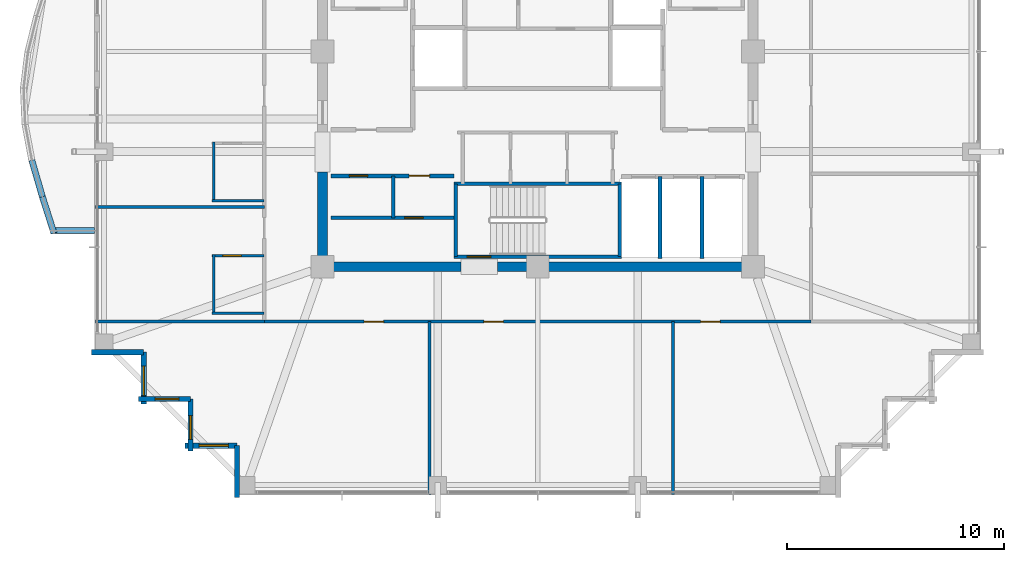
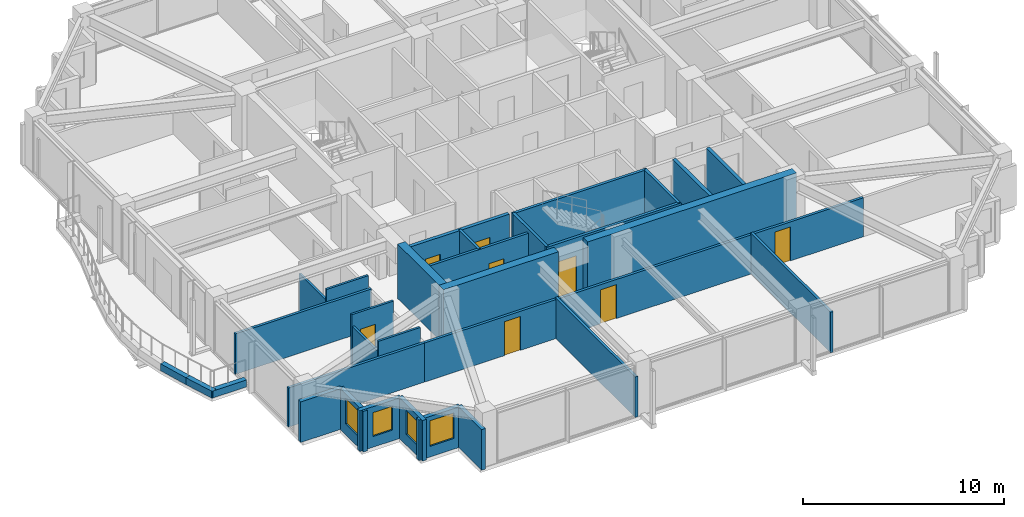
# One storey, part 27 of 33: 31 walls, 8 doors, 4 windows, 12 openings.
"""IFC4 building model written with IfcOpenShell, lengths in metres."""

from ifc_helpers import new_model, si_unit, direction, frame, frame_2d, origin, place, context, subcontext, project, spatial, rectangle, extrude, material, layer, layer_set, type_object, element, fill, save


model = new_model("IFC4")

# Units and contexts
model_context = context("Model", 3, precision=1e-05, world=origin(), true_north=direction((0.0, 1.0)))
body_context = subcontext(model_context, "Body", "Model", "MODEL_VIEW")
ifc_project = project(units=[si_unit("LENGTHUNIT", "METRE"), si_unit("AREAUNIT", "SQUARE_METRE"), si_unit("VOLUMEUNIT", "CUBIC_METRE"), si_unit("PLANEANGLEUNIT", "RADIAN"), si_unit("MASSUNIT", "GRAM", prefix="KILO")], contexts=[model_context])

# Site, building, storey
site_placement = place(None, origin())
site = spatial("IfcSite", under=ifc_project, at=site_placement, CompositionType="ELEMENT")
building_placement = place(site_placement, origin())
building = spatial("IfcBuilding", under=site, at=building_placement, Name="Kolvaren Belvedere", CompositionType="ELEMENT")
storey_placement = place(building_placement, frame((0.0, 0.0, 209.699951171875)))
storey = spatial("IfcBuildingStorey", under=building, at=storey_placement, Name="L61", CompositionType="ELEMENT", Elevation=209.699951171875)

# Walls
ifc_material_1 = material(Name="Concrete C50/60", Category="concrete")
ifc_layer_1 = layer(ifc_material_1, 0.449951171875)
ifc_layer_set_1 = layer_set([ifc_layer_1], Name="Concrete C50/60")
wall_type_1 = type_object("IfcWallType", Name="CW-CORE-450", PredefinedType="SHEAR", material=ifc_layer_set_1)
wall_1_placement = place(storey_placement, frame((10.125, -9.89990234375, 0.0), z_axis=(0.0, 0.0, 1.0), x_axis=(-1.0, 0.0, 0.0)))
element("IfcWall", 1, at=wall_1_placement, inside=storey, type_object=wall_type_1, Name="L61 South Core Shear Wall 1", PredefinedType="SHEAR", context=body_context, shape_type="SweptSolid", body=[
    extrude(rectangle(XDim=11.985107421875, YDim=0.449951171875, at=frame_2d((5.99267578125, 0.0))), origin(), (0.0, 0.0, 1.0), 3.300048828125),
])
wall_2_placement = place(storey_placement, frame((-3.5400390625, -9.89990234375, 0.0), z_axis=(0.0, 0.0, 1.0), x_axis=(-1.0, 0.0, 0.0)))
element("IfcWall", 2, at=wall_2_placement, inside=storey, type_object=wall_type_1, Name="L61 South Core Shear Wall 2", PredefinedType="SHEAR", context=body_context, shape_type="SweptSolid", body=[
    extrude(rectangle(XDim=6.5849609375, YDim=0.449951171875, at=frame_2d((3.29248046875, 0.0))), origin(), (0.0, 0.0, 1.0), 3.300048828125),
])
wall_3_placement = place(storey_placement, frame((-9.89990234375, -9.675048828125, 0.0), z_axis=(0.0, 0.0, 1.0), x_axis=(0.0, 1.0, 0.0)))
element("IfcWall", 3, at=wall_3_placement, inside=storey, type_object=wall_type_1, Name="L61 West Core Shear Wall 1", PredefinedType="SHEAR", context=body_context, shape_type="SweptSolid", body=[
    extrude(rectangle(XDim=4.125, YDim=0.449951171875, at=frame_2d((2.0625, 0.0))), origin(), (0.0, 0.0, 1.0), 3.300048828125),
])

# Wall, opening, door
ifc_material_2 = material(Name="Concrete C50/60", Category="concrete")
ifc_layer_2 = layer(ifc_material_2, 0.159912109375)
ifc_layer_set_2 = layer_set([ifc_layer_2], Name="Concrete C50/60")
wall_type_2 = type_object("IfcWallType", Name="CW-STAIR-160", PredefinedType="SHEAR", material=ifc_layer_set_2)
wall_4_placement = place(storey_placement, frame((3.860107421875, -9.429931640625, 0.0), z_axis=(0.0, 0.0, 1.0), x_axis=(-1.0, 0.0, 0.0)))
wall_4 = element("IfcWall", 4, at=wall_4_placement, inside=storey, type_object=wall_type_2, Name="L61 Stair ST-3 South Shear Wall", PredefinedType="SHEAR", context=body_context, shape_type="SweptSolid", body=[
    extrude(rectangle(XDim=7.72021484375, YDim=0.159912109375, at=frame_2d((3.860107421875, 0.0))), origin(), (0.0, 0.0, 1.0), 3.300048828125),
])
opening_1_placement = place(wall_4_placement, frame((6.010009765625, 0.0, 0.0)))
opening_1 = element("IfcOpeningElement", 5, at=opening_1_placement, cuts=wall_4, Name="Opening D-FD90", PredefinedType="OPENING", context=body_context, shape_type="SweptSolid", body=[
    extrude(rectangle(XDim=1.10009765625, YDim=2.199951171875, at=frame_2d((0.550048828125, 1.10009765625))), frame((0.0, 0.08984375, 0.0), z_axis=(0.0, -1.0, 0.0), x_axis=(1.0, 0.0, 0.0)), (0.0, 0.0, 1.0), 0.179931640625),
])
ifc_material_3 = material(Name="Painted hollow stainless steel", Category="steel")
door_type_1 = type_object("IfcDoorType", Name="DR-FD90-1100", OperationType="NOTDEFINED", PredefinedType="DOOR", material=ifc_material_3)
door_1_placement = place(opening_1_placement, origin())
door_1 = element("IfcDoor", 6, at=door_1_placement, inside=storey, type_object=door_type_1, Name="L61 Stair ST-3 Exit Door", OperationType="SINGLE_SWING_RIGHT", OverallHeight=2.199951171875, OverallWidth=1.10009765625, PredefinedType="DOOR", context=body_context, shape_type="SweptSolid", body=[
    extrude(rectangle(XDim=1.10009765625, YDim=2.199951171875, at=frame_2d((0.550048828125, 1.10009765625))), frame((0.0, 0.02490234375, 0.0), z_axis=(0.0, -1.0, 0.0), x_axis=(1.0, 0.0, 0.0)), (0.0, 0.0, 1.0), 0.050048828125),
])
fill(opening_1, door_1)

# Walls
wall_5_placement = place(storey_placement, frame((-3.860107421875, -6.080078125, 0.0), z_axis=(0.0, 0.0, 1.0), x_axis=(1.0, 0.0, 0.0)))
element("IfcWall", 7, at=wall_5_placement, inside=storey, type_object=wall_type_2, Name="L61 Stair ST-3 North Shear Wall", PredefinedType="SHEAR", context=body_context, shape_type="SweptSolid", body=[
    extrude(rectangle(XDim=7.72021484375, YDim=0.159912109375, at=frame_2d((3.860107421875, 0.0))), origin(), (0.0, 0.0, 1.0), 3.300048828125),
])
for number, where, z_axis, x_axis, name in (
    (8, (-3.780029296875, -9.429931640625, 0.0), (0.0, 0.0, 1.0), (0.0, 1.0, 0.0), "L61 Stair ST-3 West Shear Wall"),
    (9, (3.780029296875, -9.429931640625, 0.0), (0.0, 0.0, 1.0), (0.0, 1.0, 0.0), "L61 Stair ST-3 East Shear Wall"),
):
    element("IfcWall", number, at=place(storey_placement, frame(where, z_axis=z_axis, x_axis=x_axis)), inside=storey, type_object=wall_type_2, Name=name, PredefinedType="SHEAR", context=body_context, shape_type="SweptSolid", body=[
        extrude(rectangle(XDim=3.349853515625, YDim=0.159912109375, at=frame_2d((1.6748046875, 0.0))), origin(), (0.0, 0.0, 1.0), 3.300048828125),
    ])

# Wall, openings, doors
ifc_material_4 = material(Name="Gypsum fire-rated partition assembly", Category="gypsum")
ifc_layer_3 = layer(ifc_material_4, 0.14990234375)
ifc_layer_set_3 = layer_set([ifc_layer_3], Name="Gypsum fire-rated partition assembly")
wall_type_3 = type_object("IfcWallType", Name="WL-CORR-150", PredefinedType="PARTITIONING", material=ifc_layer_set_3)
wall_6_placement = place(storey_placement, frame((-12.580078125, -12.419921875, 0.0), z_axis=(0.0, 0.0, 1.0), x_axis=(1.0, 0.0, 0.0)))
wall_6 = element("IfcWall", 10, at=wall_6_placement, inside=storey, type_object=wall_type_3, Name="L61 South Corridor Wall", PredefinedType="PARTITIONING", context=body_context, shape_type="SweptSolid", body=[
    extrude(rectangle(XDim=25.16015625, YDim=0.14990234375, at=frame_2d((12.580078125, 0.0))), origin(), (0.0, 0.0, 1.0), 2.369140625),
])
opening_2_placement = place(wall_6_placement, frame((4.594970703125, 0.0, 0.0)))
opening_2 = element("IfcOpeningElement", 11, at=opening_2_placement, cuts=wall_6, Name="Opening D-INT90", PredefinedType="OPENING", context=body_context, shape_type="SweptSolid", body=[
    extrude(rectangle(XDim=0.89990234375, YDim=2.06005859375, at=frame_2d((0.449951171875, 1.030029296875))), frame((0.0, 0.0849609375, 0.0), z_axis=(0.0, -1.0, 0.0), x_axis=(1.0, 0.0, 0.0)), (0.0, 0.0, 1.0), 0.169921875),
])
opening_3_placement = place(wall_6_placement, frame((10.10009765625, 0.0, 0.0)))
opening_3 = element("IfcOpeningElement", 12, at=opening_3_placement, cuts=wall_6, Name="Opening D-INT90", PredefinedType="OPENING", context=body_context, shape_type="SweptSolid", body=[
    extrude(rectangle(XDim=0.89990234375, YDim=2.06005859375, at=frame_2d((0.449951171875, 1.030029296875))), frame((0.0, 0.0849609375, 0.0), z_axis=(0.0, -1.0, 0.0), x_axis=(1.0, 0.0, 0.0)), (0.0, 0.0, 1.0), 0.169921875),
])
opening_4_placement = place(wall_6_placement, frame((20.0791015625, 0.0, 0.0)))
opening_4 = element("IfcOpeningElement", 13, at=opening_4_placement, cuts=wall_6, Name="Opening D-INT90", PredefinedType="OPENING", context=body_context, shape_type="SweptSolid", body=[
    extrude(rectangle(XDim=0.89990234375, YDim=2.06005859375, at=frame_2d((0.449951171875, 1.030029296875))), frame((0.0, 0.0849609375, 0.0), z_axis=(0.0, -1.0, 0.0), x_axis=(1.0, 0.0, 0.0)), (0.0, 0.0, 1.0), 0.169921875),
])
ifc_material_5 = material(Name="Stained Pacific white oak", Category="timber")
door_type_2 = type_object("IfcDoorType", Name="DR-INT-900", OperationType="NOTDEFINED", PredefinedType="DOOR", material=ifc_material_5)
door_2_placement = place(opening_2_placement, origin())
door_2 = element("IfcDoor", 14, at=door_2_placement, inside=storey, type_object=door_type_2, Name="L61 Lounge 6101 Door", OperationType="SINGLE_SWING_RIGHT", OverallHeight=2.06005859375, OverallWidth=0.89990234375, PredefinedType="DOOR", context=body_context, shape_type="SweptSolid", body=[
    extrude(rectangle(XDim=0.89990234375, YDim=2.06005859375, at=frame_2d((0.449951171875, 1.030029296875))), frame((0.0, 0.02490234375, 0.0), z_axis=(0.0, -1.0, 0.0), x_axis=(1.0, 0.0, 0.0)), (0.0, 0.0, 1.0), 0.050048828125),
])
fill(opening_2, door_2)
door_3_placement = place(opening_3_placement, origin())
door_3 = element("IfcDoor", 15, at=door_3_placement, inside=storey, type_object=door_type_2, Name="L61 Guest Tea & Espresso Kitchen 6102 Door", OperationType="SINGLE_SWING_LEFT", OverallHeight=2.06005859375, OverallWidth=0.89990234375, PredefinedType="DOOR", context=body_context, shape_type="SweptSolid", body=[
    extrude(rectangle(XDim=0.89990234375, YDim=2.06005859375, at=frame_2d((0.449951171875, 1.030029296875))), frame((0.0, 0.02490234375, 0.0), z_axis=(0.0, -1.0, 0.0), x_axis=(1.0, 0.0, 0.0)), (0.0, 0.0, 1.0), 0.050048828125),
])
fill(opening_3, door_3)
door_4_placement = place(opening_4_placement, origin())
door_4 = element("IfcDoor", 16, at=door_4_placement, inside=storey, type_object=door_type_2, Name="L61 Wellness Yoga & Reading Gym 6103 Door", OperationType="SINGLE_SWING_RIGHT", OverallHeight=2.06005859375, OverallWidth=0.89990234375, PredefinedType="DOOR", context=body_context, shape_type="SweptSolid", body=[
    extrude(rectangle(XDim=0.89990234375, YDim=2.06005859375, at=frame_2d((0.449951171875, 1.030029296875))), frame((0.0, 0.02490234375, 0.0), z_axis=(0.0, -1.0, 0.0), x_axis=(1.0, 0.0, 0.0)), (0.0, 0.0, 1.0), 0.050048828125),
])
fill(opening_4, door_4)

# Wall
ifc_material_6 = material(Name="Insulated pale-metal facade wall assembly", Category="aluminium")
ifc_layer_4 = layer(ifc_material_6, 0.239990234375)
ifc_layer_set_4 = layer_set([ifc_layer_4], Name="Insulated pale-metal facade wall assembly")
wall_type_4 = type_object("IfcWallType", Name="WL-EXT-240", PredefinedType="STANDARD", material=ifc_layer_set_4)
wall_7_placement = place(storey_placement, frame((-18.1298828125, -13.830078125, 0.0), z_axis=(0.0, 0.0, 1.0), x_axis=(-1.0, 0.0, 0.0)))
element("IfcWall", 17, at=wall_7_placement, inside=storey, type_object=wall_type_4, Name="L61 Serrated Corner Facade Wall 23", PredefinedType="STANDARD", context=body_context, shape_type="SweptSolid", body=[
    extrude(rectangle(XDim=2.39013671875, YDim=0.239990234375, at=frame_2d((1.195068359375, 0.0))), origin(), (0.0, 0.0, 1.0), 2.463134765625),
])

# Wall, opening, window
wall_8_placement = place(storey_placement, frame((-18.1298828125, -16.219970703125, 0.0), z_axis=(0.0, 0.0, 1.0), x_axis=(0.0, 1.0, 0.0)))
wall_8 = element("IfcWall", 18, at=wall_8_placement, inside=storey, type_object=wall_type_4, Name="L61 Serrated Corner Facade Wall 24", PredefinedType="STANDARD", context=body_context, shape_type="SweptSolid", body=[
    extrude(rectangle(XDim=2.389892578125, YDim=0.239990234375, at=frame_2d((1.19482421875, 0.0))), origin(), (0.0, 0.0, 1.0), 2.463134765625),
])
opening_5_placement = place(wall_8_placement, frame((0.39990234375, 0.0, 0.64990234375)))
opening_5 = element("IfcOpeningElement", 19, at=opening_5_placement, cuts=wall_8, Name="Opening W-1350", PredefinedType="OPENING", context=body_context, shape_type="SweptSolid", body=[
    extrude(rectangle(XDim=1.35009765625, YDim=1.550048828125, at=frame_2d((0.675048828125, 0.77490234375))), frame((0.0, 0.1298828125, 0.0), z_axis=(0.0, -1.0, 0.0), x_axis=(1.0, 0.0, 0.0)), (0.0, 0.0, 1.0), 0.260009765625),
])
ifc_material_7 = material(Name="Low-iron triple insulated glass", Category="glass")
window_type_1 = type_object("IfcWindowType", Name="WN-CORN-1350", PartitioningType="SINGLE_PANEL", PredefinedType="WINDOW", material=ifc_material_7)
window_1_placement = place(opening_5_placement, origin())
window_1 = element("IfcWindow", 20, at=window_1_placement, inside=storey, type_object=window_type_1, Name="L61 Serrated Corner Vision Window 24", OverallHeight=1.550048828125, OverallWidth=1.35009765625, PartitioningType="SINGLE_PANEL", PredefinedType="WINDOW", context=body_context, shape_type="SweptSolid", body=[
    extrude(rectangle(XDim=1.35009765625, YDim=1.550048828125, at=frame_2d((0.675048828125, 0.77490234375))), frame((0.0, 0.030029296875, 0.0), z_axis=(0.0, -1.0, 0.0), x_axis=(1.0, 0.0, 0.0)), (0.0, 0.0, 1.0), 0.06005859375),
])
fill(opening_5, window_1)

wall_9_placement = place(storey_placement, frame((-15.97998046875, -15.97998046875, 0.0), z_axis=(0.0, 0.0, 1.0), x_axis=(-1.0, 0.0, 0.0)))
wall_9 = element("IfcWall", 21, at=wall_9_placement, inside=storey, type_object=wall_type_4, Name="L61 Serrated Corner Facade Wall 25", PredefinedType="STANDARD", context=body_context, shape_type="SweptSolid", body=[
    extrude(rectangle(XDim=2.39013671875, YDim=0.239990234375, at=frame_2d((1.195068359375, 0.0))), origin(), (0.0, 0.0, 1.0), 2.463134765625),
])
opening_6_placement = place(wall_9_placement, frame((0.52490234375, 0.0, 0.64990234375)))
opening_6 = element("IfcOpeningElement", 22, at=opening_6_placement, cuts=wall_9, Name="Opening W-1100", PredefinedType="OPENING", context=body_context, shape_type="SweptSolid", body=[
    extrude(rectangle(XDim=1.10009765625, YDim=1.449951171875, at=frame_2d((0.550048828125, 0.72509765625))), frame((0.0, 0.1298828125, 0.0), z_axis=(0.0, -1.0, 0.0), x_axis=(1.0, 0.0, 0.0)), (0.0, 0.0, 1.0), 0.260009765625),
])
ifc_material_8 = material(Name="Low-iron triple insulated glass", Category="glass")
window_type_2 = type_object("IfcWindowType", Name="WN-CORN-1100", PartitioningType="SINGLE_PANEL", PredefinedType="WINDOW", material=ifc_material_8)
window_2_placement = place(opening_6_placement, origin())
window_2 = element("IfcWindow", 23, at=window_2_placement, inside=storey, type_object=window_type_2, Name="L61 Serrated Corner Vision Window 25", OverallHeight=1.449951171875, OverallWidth=1.10009765625, PartitioningType="SINGLE_PANEL", PredefinedType="WINDOW", context=body_context, shape_type="SweptSolid", body=[
    extrude(rectangle(XDim=1.10009765625, YDim=1.449951171875, at=frame_2d((0.550048828125, 0.72509765625))), frame((0.0, 0.030029296875, 0.0), z_axis=(0.0, -1.0, 0.0), x_axis=(1.0, 0.0, 0.0)), (0.0, 0.0, 1.0), 0.06005859375),
])
fill(opening_6, window_2)

wall_10_placement = place(storey_placement, frame((-15.97998046875, -18.3701171875, 0.0), z_axis=(0.0, 0.0, 1.0), x_axis=(0.0, 1.0, 0.0)))
wall_10 = element("IfcWall", 24, at=wall_10_placement, inside=storey, type_object=wall_type_4, Name="L61 Serrated Corner Facade Wall 26", PredefinedType="STANDARD", context=body_context, shape_type="SweptSolid", body=[
    extrude(rectangle(XDim=2.39013671875, YDim=0.239990234375, at=frame_2d((1.195068359375, 0.0))), origin(), (0.0, 0.0, 1.0), 2.463134765625),
])
opening_7_placement = place(wall_10_placement, frame((0.52490234375, 0.0, 0.64990234375)))
opening_7 = element("IfcOpeningElement", 25, at=opening_7_placement, cuts=wall_10, Name="Opening W-1100", PredefinedType="OPENING", context=body_context, shape_type="SweptSolid", body=[
    extrude(rectangle(XDim=1.10009765625, YDim=1.449951171875, at=frame_2d((0.550048828125, 0.72509765625))), frame((0.0, 0.1298828125, 0.0), z_axis=(0.0, -1.0, 0.0), x_axis=(1.0, 0.0, 0.0)), (0.0, 0.0, 1.0), 0.260009765625),
])
window_3_placement = place(opening_7_placement, origin())
window_3 = element("IfcWindow", 26, at=window_3_placement, inside=storey, type_object=window_type_2, Name="L61 Serrated Corner Vision Window 26", OverallHeight=1.449951171875, OverallWidth=1.10009765625, PartitioningType="SINGLE_PANEL", PredefinedType="WINDOW", context=body_context, shape_type="SweptSolid", body=[
    extrude(rectangle(XDim=1.10009765625, YDim=1.449951171875, at=frame_2d((0.550048828125, 0.72509765625))), frame((0.0, 0.030029296875, 0.0), z_axis=(0.0, -1.0, 0.0), x_axis=(1.0, 0.0, 0.0)), (0.0, 0.0, 1.0), 0.06005859375),
])
fill(opening_7, window_3)

wall_11_placement = place(storey_placement, frame((-13.830078125, -18.1298828125, 0.0), z_axis=(0.0, 0.0, 1.0), x_axis=(-1.0, 0.0, 0.0)))
wall_11 = element("IfcWall", 27, at=wall_11_placement, inside=storey, type_object=wall_type_4, Name="L61 Serrated Corner Facade Wall 27", PredefinedType="STANDARD", context=body_context, shape_type="SweptSolid", body=[
    extrude(rectangle(XDim=2.389892578125, YDim=0.239990234375, at=frame_2d((1.19482421875, 0.0))), origin(), (0.0, 0.0, 1.0), 2.463134765625),
])
opening_8_placement = place(wall_11_placement, frame((0.39990234375, 0.0, 0.64990234375)))
opening_8 = element("IfcOpeningElement", 28, at=opening_8_placement, cuts=wall_11, Name="Opening W-1350", PredefinedType="OPENING", context=body_context, shape_type="SweptSolid", body=[
    extrude(rectangle(XDim=1.35009765625, YDim=1.550048828125, at=frame_2d((0.675048828125, 0.77490234375))), frame((0.0, 0.1298828125, 0.0), z_axis=(0.0, -1.0, 0.0), x_axis=(1.0, 0.0, 0.0)), (0.0, 0.0, 1.0), 0.260009765625),
])
window_4_placement = place(opening_8_placement, origin())
window_4 = element("IfcWindow", 29, at=window_4_placement, inside=storey, type_object=window_type_1, Name="L61 Serrated Corner Vision Window 27", OverallHeight=1.550048828125, OverallWidth=1.35009765625, PartitioningType="SINGLE_PANEL", PredefinedType="WINDOW", context=body_context, shape_type="SweptSolid", body=[
    extrude(rectangle(XDim=1.35009765625, YDim=1.550048828125, at=frame_2d((0.675048828125, 0.77490234375))), frame((0.0, 0.030029296875, 0.0), z_axis=(0.0, -1.0, 0.0), x_axis=(1.0, 0.0, 0.0)), (0.0, 0.0, 1.0), 0.06005859375),
])
fill(opening_8, window_4)

# Wall
wall_12_placement = place(storey_placement, frame((-13.830078125, -20.52001953125, 0.0), z_axis=(0.0, 0.0, 1.0), x_axis=(0.0, 1.0, 0.0)))
element("IfcWall", 30, at=wall_12_placement, inside=storey, type_object=wall_type_4, Name="L61 Serrated Corner Facade Wall 28", PredefinedType="STANDARD", context=body_context, shape_type="SweptSolid", body=[
    extrude(rectangle(XDim=2.39013671875, YDim=0.239990234375, at=frame_2d((1.195068359375, 0.0))), origin(), (0.0, 0.0, 1.0), 2.463134765625),
])

# Wall, opening, door
ifc_material_9 = material(Name="Gypsum acoustic partition assembly", Category="gypsum")
ifc_layer_5 = layer(ifc_material_9, 0.14990234375)
ifc_layer_set_5 = layer_set([ifc_layer_5], Name="Gypsum acoustic partition assembly")
wall_type_5 = type_object("IfcWallType", Name="WL-PART-150", PredefinedType="PARTITIONING", material=ifc_layer_set_5)
wall_13_placement = place(storey_placement, frame((-9.52001953125, -7.64990234375, 0.0), z_axis=(0.0, 0.0, 1.0), x_axis=(1.0, 0.0, 0.0)))
wall_13 = element("IfcWall", 31, at=wall_13_placement, inside=storey, type_object=wall_type_5, Name="L61 Reclaimed Mid H-Divider", PredefinedType="PARTITIONING", context=body_context, shape_type="SweptSolid", body=[
    extrude(rectangle(XDim=5.659912109375, YDim=0.14990234375, at=frame_2d((2.830078125, 0.0))), origin(), (0.0, 0.0, 1.0), 3.080078125),
])
opening_9_placement = place(wall_13_placement, frame((3.39990234375, 0.0, 0.0)))
opening_9 = element("IfcOpeningElement", 32, at=opening_9_placement, cuts=wall_13, Name="Opening D-INT85", PredefinedType="OPENING", context=body_context, shape_type="SweptSolid", body=[
    extrude(rectangle(XDim=0.85009765625, YDim=2.030029296875, at=frame_2d((0.425048828125, 1.01513671875))), frame((0.0, 0.0849609375, 0.0), z_axis=(0.0, -1.0, 0.0), x_axis=(1.0, 0.0, 0.0)), (0.0, 0.0, 1.0), 0.169921875),
])
ifc_material_10 = material(Name="Stained Pacific white oak", Category="timber")
door_type_3 = type_object("IfcDoorType", Name="DR-INT-850", OperationType="NOTDEFINED", PredefinedType="DOOR", material=ifc_material_10)
door_5_placement = place(opening_9_placement, origin())
door_5 = element("IfcDoor", 33, at=door_5_placement, inside=storey, type_object=door_type_3, Name="L61 Tea Pantry Door", OperationType="SINGLE_SWING_LEFT", OverallHeight=2.030029296875, OverallWidth=0.85009765625, PredefinedType="DOOR", context=body_context, shape_type="SweptSolid", body=[
    extrude(rectangle(XDim=0.85009765625, YDim=2.030029296875, at=frame_2d((0.425048828125, 1.01513671875))), frame((0.0, 0.02490234375, 0.0), z_axis=(0.0, -1.0, 0.0), x_axis=(1.0, 0.0, 0.0)), (0.0, 0.0, 1.0), 0.050048828125),
])
fill(opening_9, door_5)

# Walls
wall_14_placement = place(storey_placement, frame((-6.64990234375, -7.64990234375, 0.0), z_axis=(0.0, 0.0, 1.0), x_axis=(0.0, 1.0, 0.0)))
element("IfcWall", 34, at=wall_14_placement, inside=storey, type_object=wall_type_5, Name="L61 Reclaimed Mid V-Divider", PredefinedType="PARTITIONING", context=body_context, shape_type="SweptSolid", body=[
    extrude(rectangle(XDim=1.929931640625, YDim=0.14990234375, at=frame_2d((0.96484375, 0.0))), origin(), (0.0, 0.0, 1.0), 3.080078125),
])
wall_15_placement = place(storey_placement, frame((-20.3798828125, -12.419921875, 0.0), z_axis=(0.0, 0.0, 1.0), x_axis=(1.0, 0.0, 0.0)))
element("IfcWall", 35, at=wall_15_placement, inside=storey, type_object=wall_type_5, Name="L61 Wing Divider PW-L61-QSW", PredefinedType="PARTITIONING", context=body_context, shape_type="SweptSolid", body=[
    extrude(rectangle(XDim=7.7998046875, YDim=0.14990234375, at=frame_2d((3.89990234375, 0.0))), origin(), (0.0, 0.0, 1.0), 2.369140625),
])
for number, where, z_axis, x_axis, name in (
    (36, (-4.97998046875, -20.3798828125, 0.0), (0.0, 0.0, 1.0), (0.0, 1.0, 0.0), "L61 South Suite Demising Wall 1"),
    (37, (6.219970703125, -20.3798828125, 0.0), (0.0, 0.0, 1.0), (0.0, 1.0, 0.0), "L61 South Suite Demising Wall 2"),
):
    element("IfcWall", number, at=place(storey_placement, frame(where, z_axis=z_axis, x_axis=x_axis)), inside=storey, type_object=wall_type_5, Name=name, PredefinedType="PARTITIONING", context=body_context, shape_type="SweptSolid", body=[
        extrude(rectangle(XDim=7.9599609375, YDim=0.14990234375, at=frame_2d((3.97998046875, 0.0))), origin(), (0.0, 0.0, 1.0), 2.453125),
    ])
wall_16_placement = place(storey_placement, frame((-20.3798828125, -7.14794921875, 0.0), z_axis=(0.0, 0.0, 1.0), x_axis=(1.0, 0.0, 0.0)))
element("IfcWall", 38, at=wall_16_placement, inside=storey, type_object=wall_type_5, Name="L61 West Suite Demising Wall 1", PredefinedType="PARTITIONING", context=body_context, shape_type="SweptSolid", body=[
    extrude(rectangle(XDim=7.7998046875, YDim=0.14990234375, at=frame_2d((3.89990234375, 0.0))), origin(), (0.0, 0.0, 1.0), 2.453125),
])
ifc_material_11 = material(Name="Precast concrete C40/50", Category="concrete")
ifc_layer_6 = layer(ifc_material_11, 0.300048828125)
ifc_layer_set_6 = layer_set([ifc_layer_6], Name="Precast concrete C40/50")
wall_type_6 = type_object("IfcWallType", Name="WL-PLANTER-300", PredefinedType="PARAPET", material=ifc_layer_set_6)
wall_17_placement = place(storey_placement, frame((-23.274658203125, -4.99560546875, -0.0400390625), z_axis=(0.0, 0.0, 1.0), x_axis=(0.277817391164, -0.960633903819, 0.0)))
element("IfcWall", 39, at=wall_17_placement, inside=storey, type_object=wall_type_6, Name="L61 Precast Structural Planter Wall BAL-W-9", PredefinedType="PARAPET", context=body_context, shape_type="SweptSolid", body=[
    extrude(rectangle(XDim=1.748779296875, YDim=0.280029296875, at=frame_2d((0.87451171875, 0.0))), origin(), (0.0, 0.0, 1.0), 0.420166015625),
])
wall_18_placement = place(storey_placement, frame((-22.7900390625, -6.67138671875, -0.0400390625), z_axis=(0.0, 0.0, 1.0), x_axis=(0.304032153573, -0.952661770826, 0.0)))
element("IfcWall", 40, at=wall_18_placement, inside=storey, type_object=wall_type_6, Name="L61 Precast Structural Planter Wall BAL-W-10", PredefinedType="PARAPET", context=body_context, shape_type="SweptSolid", body=[
    extrude(rectangle(XDim=1.763427734375, YDim=0.280029296875, at=frame_2d((0.8818359375, 0.0))), origin(), (0.0, 0.0, 1.0), 0.420166015625),
])
wall_19_placement = place(storey_placement, frame((-22.40625, -8.239990234375, -0.0400390625), z_axis=(0.0, 0.0, 1.0), x_axis=(1.0, 0.0, 0.0)))
element("IfcWall", 41, at=wall_19_placement, inside=storey, type_object=wall_type_6, Name="L61 Precast Structural Planter Wall BAL-W-11", PredefinedType="PARAPET", context=body_context, shape_type="SweptSolid", body=[
    extrude(rectangle(XDim=2.00634765625, YDim=0.280029296875, at=frame_2d((1.003173828125, 0.0))), origin(), (0.0, 0.0, 1.0), 0.420166015625),
])

# Wall, openings, doors
ifc_material_12 = material(Name="Concrete C50/60", Category="concrete")
ifc_layer_7 = layer(ifc_material_12, 0.199951171875)
ifc_layer_set_7 = layer_set([ifc_layer_7], Name="Concrete C50/60")
wall_type_7 = type_object("IfcWallType", Name="WL-SHAFT-200", PredefinedType="SOLIDWALL", material=ifc_layer_set_7)
wall_20_placement = place(storey_placement, frame((-9.52001953125, -5.719970703125, 0.0), z_axis=(0.0, 0.0, 1.0), x_axis=(1.0, 0.0, 0.0)))
wall_20 = element("IfcWall", 42, at=wall_20_placement, inside=storey, type_object=wall_type_7, Name="L61 Reclaimed Mid Room North Wall", PredefinedType="SOLIDWALL", context=body_context, shape_type="SweptSolid", body=[
    extrude(rectangle(XDim=5.659912109375, YDim=0.199951171875, at=frame_2d((2.830078125, 0.0))), origin(), (0.0, 0.0, 1.0), 3.080078125),
])
opening_10_placement = place(wall_20_placement, frame((3.60009765625, 0.0, 0.0)))
opening_10 = element("IfcOpeningElement", 43, at=opening_10_placement, cuts=wall_20, Name="Opening D-FD60", PredefinedType="OPENING", context=body_context, shape_type="SweptSolid", body=[
    extrude(rectangle(XDim=0.949951171875, YDim=2.06005859375, at=frame_2d((0.47509765625, 1.030029296875))), frame((0.0, 0.10986328125, 0.0), z_axis=(0.0, -1.0, 0.0), x_axis=(1.0, 0.0, 0.0)), (0.0, 0.0, 1.0), 0.219970703125),
])
opening_11_placement = place(wall_20_placement, frame((0.85009765625, 0.0, 0.0)))
opening_11 = element("IfcOpeningElement", 44, at=opening_11_placement, cuts=wall_20, Name="Opening D-INT85", PredefinedType="OPENING", context=body_context, shape_type="SweptSolid", body=[
    extrude(rectangle(XDim=0.85009765625, YDim=2.030029296875, at=frame_2d((0.425048828125, 1.01513671875))), frame((0.0, 0.10986328125, 0.0), z_axis=(0.0, -1.0, 0.0), x_axis=(1.0, 0.0, 0.0)), (0.0, 0.0, 1.0), 0.219970703125),
])
ifc_material_13 = material(Name="Acoustic white-oak fire door leaf", Category="timber")
door_type_4 = type_object("IfcDoorType", Name="DR-FD60-950", OperationType="NOTDEFINED", PredefinedType="DOOR", material=ifc_material_13)
door_6_placement = place(opening_10_placement, origin())
door_6 = element("IfcDoor", 45, at=door_6_placement, inside=storey, type_object=door_type_4, Name="L61 Wellness Salon Door", OperationType="SINGLE_SWING_LEFT", OverallHeight=2.06005859375, OverallWidth=0.949951171875, PredefinedType="DOOR", context=body_context, shape_type="SweptSolid", body=[
    extrude(rectangle(XDim=0.949951171875, YDim=2.06005859375, at=frame_2d((0.47509765625, 1.030029296875))), frame((0.0, 0.02490234375, 0.0), z_axis=(0.0, -1.0, 0.0), x_axis=(1.0, 0.0, 0.0)), (0.0, 0.0, 1.0), 0.050048828125),
])
fill(opening_10, door_6)
door_7_placement = place(opening_11_placement, origin())
door_7 = element("IfcDoor", 46, at=door_7_placement, inside=storey, type_object=door_type_3, Name="L61 Linen Closet Door", OperationType="SINGLE_SWING_RIGHT", OverallHeight=2.030029296875, OverallWidth=0.85009765625, PredefinedType="DOOR", context=body_context, shape_type="SweptSolid", body=[
    extrude(rectangle(XDim=0.85009765625, YDim=2.030029296875, at=frame_2d((0.425048828125, 1.01513671875))), frame((0.0, 0.02490234375, 0.0), z_axis=(0.0, -1.0, 0.0), x_axis=(1.0, 0.0, 0.0)), (0.0, 0.0, 1.0), 0.050048828125),
])
fill(opening_11, door_7)

# Walls
for number, where, z_axis, x_axis, name in (
    (47, (5.6298828125, -9.52001953125, 0.0), (0.0, 0.0, 1.0), (0.0, 1.0, 0.0), "L61 High-Rise Hoistway Divider 1"),
    (48, (7.56005859375, -9.52001953125, 0.0), (0.0, 0.0, 1.0), (0.0, 1.0, 0.0), "L61 High-Rise Hoistway Divider 2"),
):
    element("IfcWall", number, at=place(storey_placement, frame(where, z_axis=z_axis, x_axis=x_axis)), inside=storey, type_object=wall_type_7, Name=name, PredefinedType="SOLIDWALL", context=body_context, shape_type="SweptSolid", body=[
        extrude(rectangle(XDim=3.77001953125, YDim=0.199951171875, at=frame_2d((1.885009765625, 0.0))), origin(), (0.0, 0.0, 1.0), 3.080078125),
    ])

# Wall, opening, door
ifc_material_14 = material(Name="Moisture-resistant gypsum partition", Category="gypsum")
ifc_layer_8 = layer(ifc_material_14, 0.125)
ifc_layer_set_8 = layer_set([ifc_layer_8], Name="Moisture-resistant gypsum partition")
wall_type_8 = type_object("IfcWallType", Name="WL-WET-125", PredefinedType="PARTITIONING", material=ifc_layer_set_8)
wall_21_placement = place(storey_placement, frame((-14.985107421875, -9.39111328125, 0.0), z_axis=(0.0, 0.0, 1.0), x_axis=(1.0, 0.0, 0.0)))
wall_21 = element("IfcWall", 49, at=wall_21_placement, inside=storey, type_object=wall_type_8, Name="L61 Bathroom Partition PW-L61-BTH-7-N", PredefinedType="PARTITIONING", context=body_context, shape_type="SweptSolid", body=[
    extrude(rectangle(XDim=2.39013671875, YDim=0.125, at=frame_2d((1.195068359375, 0.0))), origin(), (0.0, 0.0, 1.0), 3.080078125),
])
opening_12_placement = place(wall_21_placement, frame((0.5, 0.0, 0.0)))
opening_12 = element("IfcOpeningElement", 50, at=opening_12_placement, cuts=wall_21, Name="Opening D-BTH85", PredefinedType="OPENING", context=body_context, shape_type="SweptSolid", body=[
    extrude(rectangle(XDim=0.85009765625, YDim=2.030029296875, at=frame_2d((0.425048828125, 1.01513671875))), frame((0.0, 0.072509765625, 0.0), z_axis=(0.0, -1.0, 0.0), x_axis=(1.0, 0.0, 0.0)), (0.0, 0.0, 1.0), 0.14501953125),
])
ifc_material_15 = material(Name="Moisture-sealed Pacific white oak", Category="timber")
door_type_5 = type_object("IfcDoorType", Name="DR-BATH-850", OperationType="NOTDEFINED", PredefinedType="DOOR", material=ifc_material_15)
door_8_placement = place(opening_12_placement, origin())
door_8 = element("IfcDoor", 51, at=door_8_placement, inside=storey, type_object=door_type_5, Name="L61 En-Suite Bathroom 6107 Door", OperationType="SINGLE_SWING_LEFT", OverallHeight=2.030029296875, OverallWidth=0.85009765625, PredefinedType="DOOR", context=body_context, shape_type="SweptSolid", body=[
    extrude(rectangle(XDim=0.85009765625, YDim=2.030029296875, at=frame_2d((0.425048828125, 1.01513671875))), frame((0.0, 0.02490234375, 0.0), z_axis=(0.0, -1.0, 0.0), x_axis=(1.0, 0.0, 0.0)), (0.0, 0.0, 1.0), 0.050048828125),
])
fill(opening_12, door_8)

# Walls
wall_22_placement = place(storey_placement, frame((-14.905029296875, -12.10107421875, 0.0), z_axis=(0.0, 0.0, 1.0), x_axis=(0.0, 1.0, 0.0)))
element("IfcWall", 52, at=wall_22_placement, inside=storey, type_object=wall_type_8, Name="L61 Bathroom Partition PW-L61-BTH-7-V", PredefinedType="PARTITIONING", context=body_context, shape_type="SweptSolid", body=[
    extrude(rectangle(XDim=2.77001953125, YDim=0.125, at=frame_2d((1.385009765625, 0.0))), origin(), (0.0, 0.0, 1.0), 2.369140625),
])
wall_23_placement = place(storey_placement, frame((-14.985107421875, -12.041015625, 0.0), z_axis=(0.0, 0.0, 1.0), x_axis=(1.0, 0.0, 0.0)))
element("IfcWall", 53, at=wall_23_placement, inside=storey, type_object=wall_type_8, Name="L61 Bathroom Partition PW-L61-BTH-7-S", PredefinedType="PARTITIONING", context=body_context, shape_type="SweptSolid", body=[
    extrude(rectangle(XDim=2.39013671875, YDim=0.125, at=frame_2d((1.195068359375, 0.0))), origin(), (0.0, 0.0, 1.0), 3.080078125),
])
wall_24_placement = place(storey_placement, frame((-14.905029296875, -6.926025390625, 0.0), z_axis=(0.0, 0.0, 1.0), x_axis=(0.0, 1.0, 0.0)))
element("IfcWall", 54, at=wall_24_placement, inside=storey, type_object=wall_type_8, Name="L61 Bathroom Partition PW-L61-BTH-8-V", PredefinedType="PARTITIONING", context=body_context, shape_type="SweptSolid", body=[
    extrude(rectangle(XDim=2.77001953125, YDim=0.125, at=frame_2d((1.385009765625, 0.0))), origin(), (0.0, 0.0, 1.0), 2.369140625),
])
wall_25_placement = place(storey_placement, frame((-14.985107421875, -6.865966796875, 0.0), z_axis=(0.0, 0.0, 1.0), x_axis=(1.0, 0.0, 0.0)))
element("IfcWall", 55, at=wall_25_placement, inside=storey, type_object=wall_type_8, Name="L61 Bathroom Partition PW-L61-BTH-8-S", PredefinedType="PARTITIONING", context=body_context, shape_type="SweptSolid", body=[
    extrude(rectangle(XDim=2.39013671875, YDim=0.125, at=frame_2d((1.195068359375, 0.0))), origin(), (0.0, 0.0, 1.0), 3.080078125),
])

save(model, "model.ifc")
